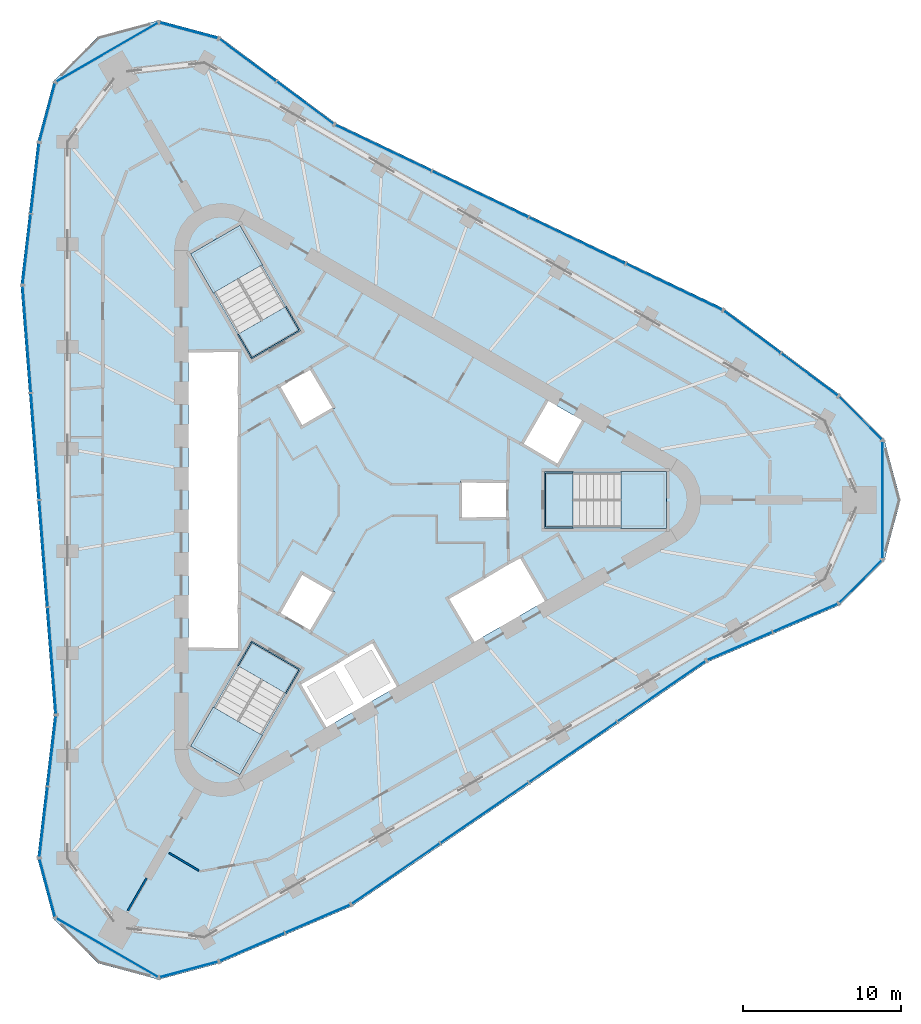
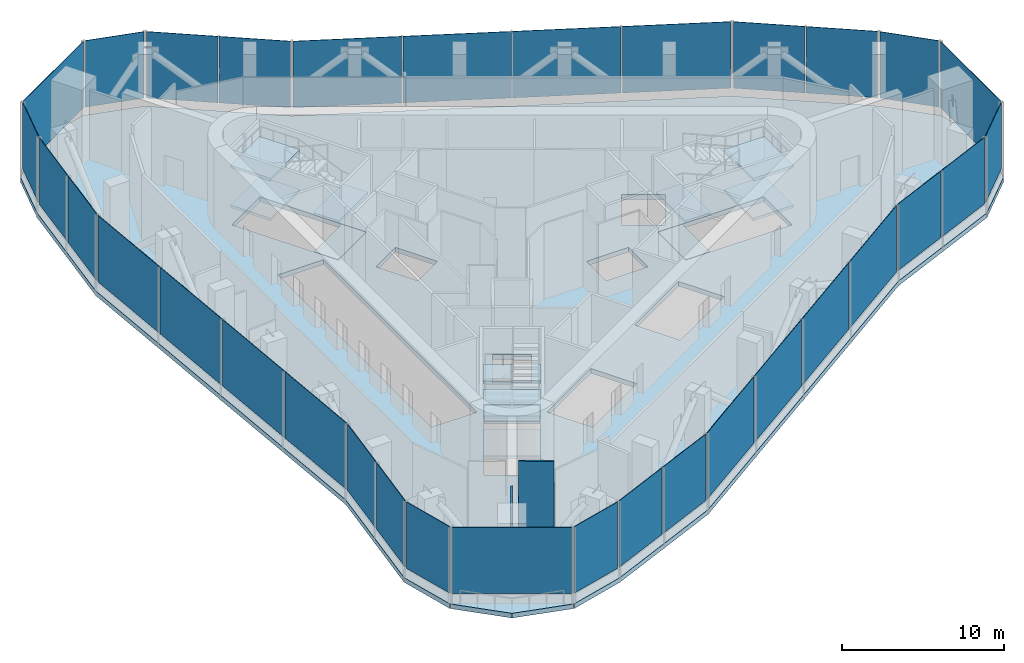
# One storey, part 6 of 15: 33 plates, 13 slabs, 2 walls, 21 elements without a shape of their own.
"""IFC4 building model written with IfcOpenShell, lengths in metres."""

from ifc_helpers import new_model, si_unit, direction, frame, frame_2d, origin, origin_2d, place, context, subcontext, project, spatial, polyline, rectangle, outline, extrude, material, layer, layer_set, type_object, element, aggregate, save


model = new_model("IFC4")

# Units and contexts
model_context = context("Model", 3, precision=1e-05, world=origin(), true_north=direction((0.0, 1.0)))
body_context = subcontext(model_context, "Body", "Model", "MODEL_VIEW")
ifc_project = project(units=[si_unit("LENGTHUNIT", "METRE"), si_unit("AREAUNIT", "SQUARE_METRE"), si_unit("VOLUMEUNIT", "CUBIC_METRE"), si_unit("PLANEANGLEUNIT", "RADIAN"), si_unit("MASSUNIT", "GRAM", prefix="KILO")], contexts=[model_context])

# Site, building, storey
site_placement = place(None, origin())
site = spatial("IfcSite", under=ifc_project, at=site_placement, CompositionType="ELEMENT")
building_placement = place(site_placement, origin())
building = spatial("IfcBuilding", under=site, at=building_placement, Name="Tanit Gate Tower", CompositionType="ELEMENT")
storey_placement = place(building_placement, frame((0.0, 0.0, 392.300048828125)))
storey = spatial("IfcBuildingStorey", under=building, at=storey_placement, Name="L90", CompositionType="ELEMENT", Elevation=392.300048828125)

# Curtain wall, plates
ifc_material_1 = material(Name="Aluminium bronze anodised and glass", Category="aluminium")
curtain_wall_type = type_object("IfcCurtainWallType", Name="Curtain wall sky lobby", PredefinedType="NOTDEFINED", material=ifc_material_1)
curtain_wall_1_placement = place(storey_placement, origin())
curtain_wall_1 = element("IfcCurtainWall", 1, at=curtain_wall_1_placement, inside=storey, type_object=curtain_wall_type, Name="Curtain wall L90 NE1", PredefinedType="NOTDEFINED")
ifc_material_2 = material(Name="Glass tinted laminated safety", Category="glass")
ifc_layer_1 = layer(ifc_material_2, 0.035888671875)
ifc_layer_set_1 = layer_set([ifc_layer_1], Name="Glass panel 36 sky lobby")
plate_type_1 = type_object("IfcPlateType", Name="Glass panel 36 sky lobby", PredefinedType="CURTAIN_PANEL", material=ifc_layer_set_1)
plate_1_placement = place(storey_placement, frame((28.042236328125, 7.9228515625, 0.699951171875), z_axis=(0.0, 0.0, 1.0), x_axis=(-0.801987717098, 0.59734052401, 0.0)))
plate_1 = element("IfcPlate", 2, at=plate_1_placement, type_object=plate_type_1, Name="Glass panel L90 NE1.1", PredefinedType="CURTAIN_PANEL", context=body_context, shape_type="SweptSolid", body=[
    extrude(rectangle(XDim=4.42529296875, YDim=0.035888671875, at=origin_2d()), origin(), (0.0, 0.0, 1.0), 5.0),
])
plate_2_placement = place(storey_placement, frame((24.428955078125, 10.614013671875, 0.699951171875), z_axis=(0.0, 0.0, 1.0), x_axis=(-0.801987717098, 0.59734052401, 0.0)))
plate_2 = element("IfcPlate", 3, at=plate_2_placement, type_object=plate_type_1, Name="Glass panel L90 NE1.2", PredefinedType="CURTAIN_PANEL", context=body_context, shape_type="SweptSolid", body=[
    extrude(rectangle(XDim=4.425537109375, YDim=0.035888671875, at=origin_2d()), origin(), (0.0, 0.0, 1.0), 5.0),
])
aggregate(curtain_wall_1, [plate_1, plate_2])

curtain_wall_2_placement = place(storey_placement, origin())
curtain_wall_2 = element("IfcCurtainWall", 4, at=curtain_wall_2_placement, inside=storey, type_object=curtain_wall_type, Name="Curtain wall L90 NE2", PredefinedType="NOTDEFINED")
plate_3_placement = place(storey_placement, frame((19.49169921875, 13.4638671875, 0.699951171875), z_axis=(0.0, 0.0, 1.0), x_axis=(-0.902317145415, 0.431072811819, 0.0)))
plate_3 = element("IfcPlate", 5, at=plate_3_placement, type_object=plate_type_1, Name="Glass panel L90 NE2.1", PredefinedType="CURTAIN_PANEL", context=body_context, shape_type="SweptSolid", body=[
    extrude(rectangle(XDim=6.707763671875, YDim=0.035888671875, at=origin_2d()), origin(), (0.0, 0.0, 1.0), 5.0),
])
plate_4_placement = place(storey_placement, frame((13.3671875, 16.389892578125, 0.699951171875), z_axis=(0.0, 0.0, 1.0), x_axis=(-0.902317145415, 0.431072811819, 0.0)))
plate_4 = element("IfcPlate", 6, at=plate_4_placement, type_object=plate_type_1, Name="Glass panel L90 NE2.2", PredefinedType="CURTAIN_PANEL", context=body_context, shape_type="SweptSolid", body=[
    extrude(rectangle(XDim=6.707763671875, YDim=0.035888671875, at=origin_2d()), origin(), (0.0, 0.0, 1.0), 5.0),
])

# Curtain wall, plate
curtain_wall_3_placement = place(storey_placement, origin())
curtain_wall_3 = element("IfcCurtainWall", 7, at=curtain_wall_3_placement, inside=storey, type_object=curtain_wall_type, Name="Curtain wall L90 NW.arc1", PredefinedType="NOTDEFINED")
plate_5_placement = place(storey_placement, frame((-11.17041015625, 29.664794921875, 0.699951171875), z_axis=(0.0, 0.0, 1.0), x_axis=(-0.965925826289, 0.258819045103, 0.0)))
plate_5 = element("IfcPlate", 8, at=plate_5_placement, type_object=plate_type_1, Name="Glass panel L90 NW.arc1.1", PredefinedType="CURTAIN_PANEL", context=body_context, shape_type="SweptSolid", body=[
    extrude(rectangle(XDim=3.75634765625, YDim=0.035888671875, at=origin_2d()), origin(), (0.0, 0.0, 1.0), 5.0),
])
aggregate(curtain_wall_3, [plate_5])

curtain_wall_4_placement = place(storey_placement, origin())
curtain_wall_4 = element("IfcCurtainWall", 9, at=curtain_wall_4_placement, inside=storey, type_object=curtain_wall_type, Name="Curtain wall L90 NW.arc2", PredefinedType="NOTDEFINED")
plate_6_placement = place(storey_placement, frame((-16.330078125, 28.28466796875, 0.699951171875), z_axis=(0.0, 0.0, 1.0), x_axis=(-0.866025403784, -0.5, 0.0)))
plate_6 = element("IfcPlate", 10, at=plate_6_placement, type_object=plate_type_1, Name="Glass panel L90 NW.arc2.1", PredefinedType="CURTAIN_PANEL", context=body_context, shape_type="SweptSolid", body=[
    extrude(rectangle(XDim=7.387939453125, YDim=0.035888671875, at=origin_2d()), origin(), (0.0, 0.0, 1.0), 5.0),
])
aggregate(curtain_wall_4, [plate_6])

curtain_wall_5_placement = place(storey_placement, origin())
curtain_wall_5 = element("IfcCurtainWall", 11, at=curtain_wall_5_placement, inside=storey, type_object=curtain_wall_type, Name="Curtain wall L90 NW.arc3", PredefinedType="NOTDEFINED")
plate_7_placement = place(storey_placement, frame((-20.107177734375, 24.499267578125, 0.699951171875), z_axis=(0.0, 0.0, 1.0), x_axis=(-0.258819045103, -0.965925826289, 0.0)))
plate_7 = element("IfcPlate", 12, at=plate_7_placement, type_object=plate_type_1, Name="Glass panel L90 NW.arc3.1", PredefinedType="CURTAIN_PANEL", context=body_context, shape_type="SweptSolid", body=[
    extrude(rectangle(XDim=3.7705078125, YDim=0.035888671875, at=origin_2d()), origin(), (0.0, 0.0, 1.0), 5.0),
])
aggregate(curtain_wall_5, [plate_7])

# Curtain wall, plates
curtain_wall_6_placement = place(storey_placement, origin())
curtain_wall_6 = element("IfcCurtainWall", 13, at=curtain_wall_6_placement, inside=storey, type_object=curtain_wall_type, Name="Curtain wall L90 W1", PredefinedType="NOTDEFINED")
plate_8_placement = place(storey_placement, frame((-20.882568359375, 20.323974609375, 0.699951171875), z_axis=(0.0, 0.0, 1.0), x_axis=(-0.116318209953, -0.993211998535, 0.0)))
plate_8 = element("IfcPlate", 14, at=plate_8_placement, type_object=plate_type_1, Name="Glass panel L90 W1.1", PredefinedType="CURTAIN_PANEL", context=body_context, shape_type="SweptSolid", body=[
    extrude(rectangle(XDim=4.42529296875, YDim=0.035888671875, at=origin_2d()), origin(), (0.0, 0.0, 1.0), 5.0),
])
plate_9_placement = place(storey_placement, frame((-21.406494140625, 15.84912109375, 0.699951171875), z_axis=(0.0, 0.0, 1.0), x_axis=(-0.116318209953, -0.993211998535, 0.0)))
plate_9 = element("IfcPlate", 15, at=plate_9_placement, type_object=plate_type_1, Name="Glass panel L90 W1.2", PredefinedType="CURTAIN_PANEL", context=body_context, shape_type="SweptSolid", body=[
    extrude(rectangle(XDim=4.425537109375, YDim=0.035888671875, at=origin_2d()), origin(), (0.0, 0.0, 1.0), 5.0),
])
aggregate(curtain_wall_6, [plate_8, plate_9])

curtain_wall_7_placement = place(storey_placement, origin())
curtain_wall_7 = element("IfcCurtainWall", 16, at=curtain_wall_7_placement, inside=storey, type_object=curtain_wall_type, Name="Curtain wall L90 W2", PredefinedType="NOTDEFINED")
plate_10_placement = place(storey_placement, frame((-21.406005859375, 10.1484375, 0.699951171875), z_axis=(0.0, 0.0, 1.0), x_axis=(0.077838566791, -0.996965976109, 0.0)))
plate_10 = element("IfcPlate", 17, at=plate_10_placement, type_object=plate_type_1, Name="Glass panel L90 W2.1", PredefinedType="CURTAIN_PANEL", context=body_context, shape_type="SweptSolid", body=[
    extrude(rectangle(XDim=6.707763671875, YDim=0.035888671875, at=origin_2d()), origin(), (0.0, 0.0, 1.0), 5.0),
])
plate_11_placement = place(storey_placement, frame((-20.877685546875, 3.38134765625, 0.699951171875), z_axis=(0.0, 0.0, 1.0), x_axis=(0.077838566791, -0.996965976109, 0.0)))
plate_11 = element("IfcPlate", 18, at=plate_11_placement, type_object=plate_type_1, Name="Glass panel L90 W2.2", PredefinedType="CURTAIN_PANEL", context=body_context, shape_type="SweptSolid", body=[
    extrude(rectangle(XDim=6.707763671875, YDim=0.035888671875, at=origin_2d()), origin(), (0.0, 0.0, 1.0), 5.0),
])

# Curtain wall, plate
curtain_wall_8_placement = place(storey_placement, origin())
curtain_wall_8 = element("IfcCurtainWall", 19, at=curtain_wall_8_placement, inside=storey, type_object=curtain_wall_type, Name="Curtain wall L90 SW.arc1", PredefinedType="NOTDEFINED")
plate_12_placement = place(storey_placement, frame((-20.105224609375, -24.506103515625, 0.699951171875), z_axis=(0.0, 0.0, 1.0), x_axis=(0.258819045103, -0.965925826289, 0.0)))
plate_12 = element("IfcPlate", 20, at=plate_12_placement, type_object=plate_type_1, Name="Glass panel L90 SW.arc1.1", PredefinedType="CURTAIN_PANEL", context=body_context, shape_type="SweptSolid", body=[
    extrude(rectangle(XDim=3.75634765625, YDim=0.035888671875, at=origin_2d()), origin(), (0.0, 0.0, 1.0), 5.0),
])
aggregate(curtain_wall_8, [plate_12])

curtain_wall_9_placement = place(storey_placement, origin())
curtain_wall_9 = element("IfcCurtainWall", 21, at=curtain_wall_9_placement, inside=storey, type_object=curtain_wall_type, Name="Curtain wall L90 SW.arc2", PredefinedType="NOTDEFINED")
plate_13_placement = place(storey_placement, frame((-16.330078125, -28.28466796875, 0.699951171875), z_axis=(0.0, 0.0, 1.0), x_axis=(0.866025403784, -0.5, 0.0)))
plate_13 = element("IfcPlate", 22, at=plate_13_placement, type_object=plate_type_1, Name="Glass panel L90 SW.arc2.1", PredefinedType="CURTAIN_PANEL", context=body_context, shape_type="SweptSolid", body=[
    extrude(rectangle(XDim=7.387939453125, YDim=0.035888671875, at=origin_2d()), origin(), (0.0, 0.0, 1.0), 5.0),
])
aggregate(curtain_wall_9, [plate_13])

curtain_wall_10_placement = place(storey_placement, origin())
curtain_wall_10 = element("IfcCurtainWall", 23, at=curtain_wall_10_placement, inside=storey, type_object=curtain_wall_type, Name="Curtain wall L90 SW.arc3", PredefinedType="NOTDEFINED")
plate_14_placement = place(storey_placement, frame((-11.16357421875, -29.6630859375, 0.699951171875), z_axis=(0.0, 0.0, 1.0), x_axis=(0.965925826289, 0.258819045103, 0.0)))
plate_14 = element("IfcPlate", 24, at=plate_14_placement, type_object=plate_type_1, Name="Glass panel L90 SW.arc3.1", PredefinedType="CURTAIN_PANEL", context=body_context, shape_type="SweptSolid", body=[
    extrude(rectangle(XDim=3.7705078125, YDim=0.035888671875, at=origin_2d()), origin(), (0.0, 0.0, 1.0), 5.0),
])
aggregate(curtain_wall_10, [plate_14])

# Curtain wall, plates
curtain_wall_11_placement = place(storey_placement, origin())
curtain_wall_11 = element("IfcCurtainWall", 25, at=curtain_wall_11_placement, inside=storey, type_object=curtain_wall_type, Name="Curtain wall L90 SE1", PredefinedType="NOTDEFINED")
plate_15_placement = place(storey_placement, frame((-7.15966796875, -28.246826171875, 0.699951171875), z_axis=(0.0, 0.0, 1.0), x_axis=(0.918305927051, 0.395871474525, 0.0)))
plate_15 = element("IfcPlate", 26, at=plate_15_placement, type_object=plate_type_1, Name="Glass panel L90 SE1.1", PredefinedType="CURTAIN_PANEL", context=body_context, shape_type="SweptSolid", body=[
    extrude(rectangle(XDim=4.42529296875, YDim=0.035888671875, at=origin_2d()), origin(), (0.0, 0.0, 1.0), 5.0),
])
plate_16_placement = place(storey_placement, frame((-3.0224609375, -26.463134765625, 0.699951171875), z_axis=(0.0, 0.0, 1.0), x_axis=(0.918305927051, 0.395871474525, 0.0)))
plate_16 = element("IfcPlate", 27, at=plate_16_placement, type_object=plate_type_1, Name="Glass panel L90 SE1.2", PredefinedType="CURTAIN_PANEL", context=body_context, shape_type="SweptSolid", body=[
    extrude(rectangle(XDim=4.425537109375, YDim=0.035888671875, at=origin_2d()), origin(), (0.0, 0.0, 1.0), 5.0),
])
aggregate(curtain_wall_11, [plate_15, plate_16])

curtain_wall_12_placement = place(storey_placement, origin())
curtain_wall_12 = element("IfcCurtainWall", 28, at=curtain_wall_12_placement, inside=storey, type_object=curtain_wall_type, Name="Curtain wall L90 SE2", PredefinedType="NOTDEFINED")
plate_17_placement = place(storey_placement, frame((1.914306640625, -23.6123046875, 0.699951171875), z_axis=(0.0, 0.0, 1.0), x_axis=(0.824478578624, 0.56589316429, 0.0)))
plate_17 = element("IfcPlate", 29, at=plate_17_placement, type_object=plate_type_1, Name="Glass panel L90 SE2.1", PredefinedType="CURTAIN_PANEL", context=body_context, shape_type="SweptSolid", body=[
    extrude(rectangle(XDim=6.707763671875, YDim=0.035888671875, at=origin_2d()), origin(), (0.0, 0.0, 1.0), 5.0),
])
plate_18_placement = place(storey_placement, frame((7.510498046875, -19.771240234375, 0.699951171875), z_axis=(0.0, 0.0, 1.0), x_axis=(0.824478578624, 0.56589316429, 0.0)))
plate_18 = element("IfcPlate", 30, at=plate_18_placement, type_object=plate_type_1, Name="Glass panel L90 SE2.2", PredefinedType="CURTAIN_PANEL", context=body_context, shape_type="SweptSolid", body=[
    extrude(rectangle(XDim=6.707763671875, YDim=0.035888671875, at=origin_2d()), origin(), (0.0, 0.0, 1.0), 5.0),
])

# Curtain wall, plate
curtain_wall_13_placement = place(storey_placement, origin())
curtain_wall_13 = element("IfcCurtainWall", 31, at=curtain_wall_13_placement, inside=storey, type_object=curtain_wall_type, Name="Curtain wall L90 E.arc1", PredefinedType="NOTDEFINED")
plate_19_placement = place(storey_placement, frame((31.275634765625, -5.15869140625, 0.699951171875), z_axis=(0.0, 0.0, 1.0), x_axis=(0.707106781187, 0.707106781187, 0.0)))
plate_19 = element("IfcPlate", 32, at=plate_19_placement, type_object=plate_type_1, Name="Glass panel L90 E.arc1.1", PredefinedType="CURTAIN_PANEL", context=body_context, shape_type="SweptSolid", body=[
    extrude(rectangle(XDim=3.75634765625, YDim=0.035888671875, at=origin_2d()), origin(), (0.0, 0.0, 1.0), 5.0),
])
aggregate(curtain_wall_13, [plate_19])

curtain_wall_14_placement = place(storey_placement, origin())
curtain_wall_14 = element("IfcCurtainWall", 33, at=curtain_wall_14_placement, inside=storey, type_object=curtain_wall_type, Name="Curtain wall L90 E.arc2", PredefinedType="NOTDEFINED")
plate_20_placement = place(storey_placement, frame((32.66015625, 0.0, 0.699951171875), z_axis=(0.0, 0.0, 1.0), x_axis=(0.0, 1.0, 0.0)))
plate_20 = element("IfcPlate", 34, at=plate_20_placement, type_object=plate_type_1, Name="Glass panel L90 E.arc2.1", PredefinedType="CURTAIN_PANEL", context=body_context, shape_type="SweptSolid", body=[
    extrude(rectangle(XDim=7.387939453125, YDim=0.035888671875, at=origin_2d()), origin(), (0.0, 0.0, 1.0), 5.0),
])
aggregate(curtain_wall_14, [plate_20])

curtain_wall_15_placement = place(storey_placement, origin())
curtain_wall_15 = element("IfcCurtainWall", 35, at=curtain_wall_15_placement, inside=storey, type_object=curtain_wall_type, Name="Curtain wall L90 E.arc3", PredefinedType="NOTDEFINED")
plate_21_placement = place(storey_placement, frame((31.270751953125, 5.16357421875, 0.699951171875), z_axis=(0.0, 0.0, 1.0), x_axis=(-0.707106781187, 0.707106781187, 0.0)))
plate_21 = element("IfcPlate", 36, at=plate_21_placement, type_object=plate_type_1, Name="Glass panel L90 E.arc3.1", PredefinedType="CURTAIN_PANEL", context=body_context, shape_type="SweptSolid", body=[
    extrude(rectangle(XDim=3.7705078125, YDim=0.035888671875, at=origin_2d()), origin(), (0.0, 0.0, 1.0), 5.0),
])
aggregate(curtain_wall_15, [plate_21])

# Stair, slabs
ifc_material_3 = material(Name="Concrete C40/50", Category="concrete")
stair_type = type_object("IfcStairType", Name="INT-STAIR-EXIT", PredefinedType="HALF_TURN_STAIR", material=ifc_material_3)
stair_1_placement = place(storey_placement, origin())
stair_1 = element("IfcStair", 37, at=stair_1_placement, inside=storey, type_object=stair_type, Name="L90 STAIR S1", PredefinedType="HALF_TURN_STAIR")
ifc_material_4 = material(Name="Concrete C40/50", Category="concrete")
ifc_layer_2 = layer(ifc_material_4, 0.199951171875)
ifc_layer_set_2 = layer_set([ifc_layer_2], Name="INT-STAIR-LANDING")
slab_type_1 = type_object("IfcSlabType", Name="INT-STAIR-LANDING", PredefinedType="LANDING", material=ifc_layer_set_2)
slab_1_placement = place(storey_placement, frame((0.0, 0.0, 1.300048828125)))
slab_1 = element("IfcSlab", 38, at=slab_1_placement, type_object=slab_type_1, Name="S1 landing 1", PredefinedType="LANDING", context=body_context, shape_type="SweptSolid", body=[
    extrude(outline(polyline([(16.135986328125, -1.800048828125), (19.0, -1.800048828125), (19.0, 1.800048828125), (16.135986328125, 1.800048828125), (16.135986328125, -1.800048828125)])), origin(), (0.0, 0.0, 1.0), 0.199951171875),
])
slab_2_placement = place(storey_placement, frame((0.0, 0.0, 2.800048828125)))
slab_2 = element("IfcSlab", 39, at=slab_2_placement, type_object=slab_type_1, Name="S1 landing 2", PredefinedType="LANDING", context=body_context, shape_type="SweptSolid", body=[
    extrude(outline(polyline([(11.300048828125, -1.800048828125), (13.10498046875, -1.800048828125), (13.10498046875, 1.800048828125), (11.300048828125, 1.800048828125), (11.300048828125, -1.800048828125)])), origin(), (0.0, 0.0, 1.0), 0.199951171875),
])
slab_3_placement = place(storey_placement, frame((0.0, 0.0, 4.300048828125)))
slab_3 = element("IfcSlab", 40, at=slab_3_placement, type_object=slab_type_1, Name="S1 landing 3", PredefinedType="LANDING", context=body_context, shape_type="SweptSolid", body=[
    extrude(outline(polyline([(16.135986328125, -1.800048828125), (19.0, -1.800048828125), (19.0, 1.800048828125), (16.135986328125, 1.800048828125), (16.135986328125, -1.800048828125)])), origin(), (0.0, 0.0, 1.0), 0.199951171875),
])
aggregate(stair_1, [slab_1, slab_2, slab_3])

# Slab
slab_4_placement = place(storey_placement, frame((0.0, 0.0, -0.199951171875)))
element("IfcSlab", 41, at=slab_4_placement, inside=storey, type_object=slab_type_1, Name="S1 floor landing", PredefinedType="LANDING", context=body_context, shape_type="SweptSolid", body=[
    extrude(outline(polyline([(11.3798828125, -1.719970703125), (13.10498046875, -1.719970703125), (13.10498046875, 1.719970703125), (11.3798828125, 1.719970703125), (11.3798828125, -1.719970703125)])), origin(), (0.0, 0.0, 1.0), 0.199951171875),
])

# Stair, slabs
stair_2_placement = place(storey_placement, origin())
stair_2 = element("IfcStair", 42, at=stair_2_placement, inside=storey, type_object=stair_type, Name="L90 STAIR S2", PredefinedType="HALF_TURN_STAIR")
slab_5_placement = place(storey_placement, frame((0.0, 0.0, 1.300048828125)))
slab_5 = element("IfcSlab", 43, at=slab_5_placement, type_object=slab_type_1, Name="S2 landing 1", PredefinedType="LANDING", context=body_context, shape_type="SweptSolid", body=[
    extrude(outline(polyline([(-6.5078125, 14.871826171875), (-7.941162109375, 17.3544921875), (-11.058837890625, 15.554443359375), (-9.62548828125, 13.07177734375), (-6.5078125, 14.871826171875)])), origin(), (0.0, 0.0, 1.0), 0.199951171875),
])
slab_6_placement = place(storey_placement, frame((0.0, 0.0, 2.800048828125)))
slab_6 = element("IfcSlab", 44, at=slab_6_placement, type_object=slab_type_1, Name="S2 landing 2", PredefinedType="LANDING", context=body_context, shape_type="SweptSolid", body=[
    extrude(outline(polyline([(-4.091064453125, 10.68603515625), (-4.9931640625, 12.248291015625), (-8.11083984375, 10.448486328125), (-7.208740234375, 8.885986328125), (-4.091064453125, 10.68603515625)])), origin(), (0.0, 0.0, 1.0), 0.199951171875),
])
slab_7_placement = place(storey_placement, frame((0.0, 0.0, 4.300048828125)))
slab_7 = element("IfcSlab", 45, at=slab_7_placement, type_object=slab_type_1, Name="S2 landing 3", PredefinedType="LANDING", context=body_context, shape_type="SweptSolid", body=[
    extrude(outline(polyline([(-6.5078125, 14.871826171875), (-7.941162109375, 17.3544921875), (-11.058837890625, 15.554443359375), (-9.62548828125, 13.07177734375), (-6.5078125, 14.871826171875)])), origin(), (0.0, 0.0, 1.0), 0.199951171875),
])
aggregate(stair_2, [slab_5, slab_6, slab_7])

# Slab
slab_8_placement = place(storey_placement, frame((0.0, 0.0, -0.199951171875)))
element("IfcSlab", 46, at=slab_8_placement, inside=storey, type_object=slab_type_1, Name="S2 floor landing", PredefinedType="LANDING", context=body_context, shape_type="SweptSolid", body=[
    extrude(outline(polyline([(-4.200439453125, 10.71533203125), (-5.0625, 12.20849609375), (-8.04150390625, 10.48828125), (-7.179443359375, 8.995361328125), (-4.200439453125, 10.71533203125)])), origin(), (0.0, 0.0, 1.0), 0.199951171875),
])

# Stair, slabs
stair_3_placement = place(storey_placement, origin())
stair_3 = element("IfcStair", 47, at=stair_3_placement, inside=storey, type_object=stair_type, Name="L90 STAIR S3", PredefinedType="HALF_TURN_STAIR")
slab_9_placement = place(storey_placement, frame((0.0, 0.0, 1.300048828125)))
slab_9 = element("IfcSlab", 48, at=slab_9_placement, type_object=slab_type_1, Name="S3 landing 1", PredefinedType="LANDING", context=body_context, shape_type="SweptSolid", body=[
    extrude(outline(polyline([(-9.626953125, -13.07421875), (-11.058837890625, -15.554443359375), (-7.941162109375, -17.3544921875), (-6.509033203125, -14.874267578125), (-9.626953125, -13.07421875)])), origin(), (0.0, 0.0, 1.0), 0.199951171875),
])
slab_10_placement = place(storey_placement, frame((0.0, 0.0, 2.800048828125)))
slab_10 = element("IfcSlab", 49, at=slab_10_placement, type_object=slab_type_1, Name="S3 landing 2", PredefinedType="LANDING", context=body_context, shape_type="SweptSolid", body=[
    extrude(outline(polyline([(-7.208740234375, -8.885986328125), (-8.111328125, -10.44921875), (-4.99365234375, -12.249267578125), (-4.091064453125, -10.68603515625), (-7.208740234375, -8.885986328125)])), origin(), (0.0, 0.0, 1.0), 0.199951171875),
])
slab_11_placement = place(storey_placement, frame((0.0, 0.0, 4.300048828125)))
slab_11 = element("IfcSlab", 50, at=slab_11_placement, type_object=slab_type_1, Name="S3 landing 3", PredefinedType="LANDING", context=body_context, shape_type="SweptSolid", body=[
    extrude(outline(polyline([(-9.626953125, -13.07421875), (-11.058837890625, -15.554443359375), (-7.941162109375, -17.3544921875), (-6.509033203125, -14.874267578125), (-9.626953125, -13.07421875)])), origin(), (0.0, 0.0, 1.0), 0.199951171875),
])
aggregate(stair_3, [slab_9, slab_10, slab_11])

# Slab
slab_12_placement = place(storey_placement, frame((0.0, 0.0, -0.199951171875)))
element("IfcSlab", 51, at=slab_12_placement, inside=storey, type_object=slab_type_1, Name="S3 floor landing", PredefinedType="LANDING", context=body_context, shape_type="SweptSolid", body=[
    extrude(outline(polyline([(-7.179443359375, -8.995361328125), (-8.0419921875, -10.4892578125), (-5.06298828125, -12.209228515625), (-4.200439453125, -10.71533203125), (-7.179443359375, -8.995361328125)])), origin(), (0.0, 0.0, 1.0), 0.199951171875),
])

# Plate
ifc_material_5 = material(Name="Bronze anodised aluminium insulated panel", Category="aluminium")
ifc_layer_3 = layer(ifc_material_5, 0.035888671875)
ifc_layer_set_3 = layer_set([ifc_layer_3], Name="Insulated panel 36 sky lobby")
plate_type_2 = type_object("IfcPlateType", Name="Insulated panel 36 sky lobby", PredefinedType="CURTAIN_PANEL", material=ifc_layer_set_3)
plate_22_placement = place(storey_placement, frame((7.242431640625, 19.31591796875, 0.699951171875), z_axis=(0.0, 0.0, 1.0), x_axis=(-0.902317145415, 0.431072811819, 0.0)))
plate_22 = element("IfcPlate", 52, at=plate_22_placement, type_object=plate_type_2, Name="Insulated panel L90 NE2.3", PredefinedType="CURTAIN_PANEL", context=body_context, shape_type="SweptSolid", body=[
    extrude(rectangle(XDim=6.707763671875, YDim=0.035888671875, at=origin_2d()), origin(), (0.0, 0.0, 1.0), 5.0),
])

plate_23_placement = place(storey_placement, frame((1.11767578125, 22.241943359375, 0.699951171875), z_axis=(0.0, 0.0, 1.0), x_axis=(-0.902317145415, 0.431072811819, 0.0)))
plate_23 = element("IfcPlate", 53, at=plate_23_placement, type_object=plate_type_2, Name="Insulated panel L90 NE2.4", PredefinedType="CURTAIN_PANEL", context=body_context, shape_type="SweptSolid", body=[
    extrude(rectangle(XDim=6.707763671875, YDim=0.035888671875, at=origin_2d()), origin(), (0.0, 0.0, 1.0), 5.0),
])

aggregate(curtain_wall_2, [plate_3, plate_4, plate_22, plate_23])

# Curtain wall, plates
curtain_wall_16_placement = place(storey_placement, origin())
curtain_wall_16 = element("IfcCurtainWall", 54, at=curtain_wall_16_placement, inside=storey, type_object=curtain_wall_type, Name="Curtain wall L90 NE3", PredefinedType="NOTDEFINED")
plate_24_placement = place(storey_placement, frame((-3.8212890625, 25.093017578125, 0.699951171875), z_axis=(0.0, 0.0, 1.0), x_axis=(-0.801987717098, 0.59734052401, 0.0)))
plate_24 = element("IfcPlate", 55, at=plate_24_placement, type_object=plate_type_2, Name="Insulated panel L90 NE3.1", PredefinedType="CURTAIN_PANEL", context=body_context, shape_type="SweptSolid", body=[
    extrude(rectangle(XDim=4.429931640625, YDim=0.035888671875, at=origin_2d()), origin(), (0.0, 0.0, 1.0), 5.0),
])
plate_25_placement = place(storey_placement, frame((-7.438232421875, 27.787109375, 0.699951171875), z_axis=(0.0, 0.0, 1.0), x_axis=(-0.801987717098, 0.59734052401, 0.0)))
plate_25 = element("IfcPlate", 56, at=plate_25_placement, type_object=plate_type_2, Name="Insulated panel L90 NE3.2", PredefinedType="CURTAIN_PANEL", context=body_context, shape_type="SweptSolid", body=[
    extrude(rectangle(XDim=4.429931640625, YDim=0.035888671875, at=origin_2d()), origin(), (0.0, 0.0, 1.0), 5.0),
])
aggregate(curtain_wall_16, [plate_24, plate_25])

# Plate
plate_26_placement = place(storey_placement, frame((-20.349365234375, -3.385986328125, 0.699951171875), z_axis=(0.0, 0.0, 1.0), x_axis=(0.077838566791, -0.996965976109, 0.0)))
plate_26 = element("IfcPlate", 57, at=plate_26_placement, type_object=plate_type_2, Name="Insulated panel L90 W2.3", PredefinedType="CURTAIN_PANEL", context=body_context, shape_type="SweptSolid", body=[
    extrude(rectangle(XDim=6.707763671875, YDim=0.035888671875, at=origin_2d()), origin(), (0.0, 0.0, 1.0), 5.0),
])

plate_27_placement = place(storey_placement, frame((-19.82080078125, -10.153076171875, 0.699951171875), z_axis=(0.0, 0.0, 1.0), x_axis=(0.077838566791, -0.996965976109, 0.0)))
plate_27 = element("IfcPlate", 58, at=plate_27_placement, type_object=plate_type_2, Name="Insulated panel L90 W2.4", PredefinedType="CURTAIN_PANEL", context=body_context, shape_type="SweptSolid", body=[
    extrude(rectangle(XDim=6.707763671875, YDim=0.035888671875, at=origin_2d()), origin(), (0.0, 0.0, 1.0), 5.0),
])

aggregate(curtain_wall_7, [plate_10, plate_11, plate_26, plate_27])

# Curtain wall, plates
curtain_wall_17_placement = place(storey_placement, origin())
curtain_wall_17 = element("IfcCurtainWall", 59, at=curtain_wall_17_placement, inside=storey, type_object=curtain_wall_type, Name="Curtain wall L90 W3", PredefinedType="NOTDEFINED")
plate_28_placement = place(storey_placement, frame((-19.820556640625, -15.85595703125, 0.699951171875), z_axis=(0.0, 0.0, 1.0), x_axis=(-0.116318209953, -0.993211998535, 0.0)))
plate_28 = element("IfcPlate", 60, at=plate_28_placement, type_object=plate_type_2, Name="Insulated panel L90 W3.1", PredefinedType="CURTAIN_PANEL", context=body_context, shape_type="SweptSolid", body=[
    extrude(rectangle(XDim=4.429931640625, YDim=0.035888671875, at=origin_2d()), origin(), (0.0, 0.0, 1.0), 5.0),
])
plate_29_placement = place(storey_placement, frame((-20.34521484375, -20.335205078125, 0.699951171875), z_axis=(0.0, 0.0, 1.0), x_axis=(-0.116318209953, -0.993211998535, 0.0)))
plate_29 = element("IfcPlate", 61, at=plate_29_placement, type_object=plate_type_2, Name="Insulated panel L90 W3.2", PredefinedType="CURTAIN_PANEL", context=body_context, shape_type="SweptSolid", body=[
    extrude(rectangle(XDim=4.429931640625, YDim=0.035888671875, at=origin_2d()), origin(), (0.0, 0.0, 1.0), 5.0),
])
aggregate(curtain_wall_17, [plate_28, plate_29])

# Plate
plate_30_placement = place(storey_placement, frame((13.10693359375, -15.929931640625, 0.699951171875), z_axis=(0.0, 0.0, 1.0), x_axis=(0.824478578624, 0.56589316429, 0.0)))
plate_30 = element("IfcPlate", 62, at=plate_30_placement, type_object=plate_type_2, Name="Insulated panel L90 SE2.3", PredefinedType="CURTAIN_PANEL", context=body_context, shape_type="SweptSolid", body=[
    extrude(rectangle(XDim=6.707763671875, YDim=0.035888671875, at=origin_2d()), origin(), (0.0, 0.0, 1.0), 5.0),
])

plate_31_placement = place(storey_placement, frame((18.703369140625, -12.0888671875, 0.699951171875), z_axis=(0.0, 0.0, 1.0), x_axis=(0.824478578624, 0.56589316429, 0.0)))
plate_31 = element("IfcPlate", 63, at=plate_31_placement, type_object=plate_type_2, Name="Insulated panel L90 SE2.4", PredefinedType="CURTAIN_PANEL", context=body_context, shape_type="SweptSolid", body=[
    extrude(rectangle(XDim=6.707763671875, YDim=0.035888671875, at=origin_2d()), origin(), (0.0, 0.0, 1.0), 5.0),
])

aggregate(curtain_wall_12, [plate_17, plate_18, plate_30, plate_31])

# Curtain wall, plates
curtain_wall_18_placement = place(storey_placement, origin())
curtain_wall_18 = element("IfcCurtainWall", 64, at=curtain_wall_18_placement, inside=storey, type_object=curtain_wall_type, Name="Curtain wall L90 SE3", PredefinedType="NOTDEFINED")
plate_32_placement = place(storey_placement, frame((23.641845703125, -9.237060546875, 0.699951171875), z_axis=(0.0, 0.0, 1.0), x_axis=(0.918305927051, 0.395871474525, 0.0)))
plate_32 = element("IfcPlate", 65, at=plate_32_placement, type_object=plate_type_2, Name="Insulated panel L90 SE3.1", PredefinedType="CURTAIN_PANEL", context=body_context, shape_type="SweptSolid", body=[
    extrude(rectangle(XDim=4.429931640625, YDim=0.035888671875, at=origin_2d()), origin(), (0.0, 0.0, 1.0), 5.0),
])
plate_33_placement = place(storey_placement, frame((27.783447265625, -7.45166015625, 0.699951171875), z_axis=(0.0, 0.0, 1.0), x_axis=(0.918305927051, 0.395871474525, 0.0)))
plate_33 = element("IfcPlate", 66, at=plate_33_placement, type_object=plate_type_2, Name="Insulated panel L90 SE3.2", PredefinedType="CURTAIN_PANEL", context=body_context, shape_type="SweptSolid", body=[
    extrude(rectangle(XDim=4.429931640625, YDim=0.035888671875, at=origin_2d()), origin(), (0.0, 0.0, 1.0), 5.0),
])
aggregate(curtain_wall_18, [plate_32, plate_33])

# Slab
ifc_material_6 = material(Name="Concrete C35/45", Category="concrete")
ifc_layer_4 = layer(ifc_material_6, 0.35009765625)
ifc_layer_set_4 = layer_set([ifc_layer_4], Name="SKY LOBBY FLOOR SLAB 350 C35/45")
slab_type_2 = type_object("IfcSlabType", Name="SKY LOBBY FLOOR SLAB 350 C35/45", PredefinedType="FLOOR", material=ifc_layer_set_4)
slab_13_placement = place(storey_placement, frame((0.0, 0.0, -0.35009765625)))
element("IfcSlab", 67, at=slab_13_placement, inside=storey, type_object=slab_type_2, Name="FLOOR SLAB L90", PredefinedType="FLOOR", context=body_context, shape_type="SweptSolid", body=[
    extrude(outline(polyline([(29.959716796875, 6.644287109375), (32.767822265625, 3.836181640625), (33.795654296875, 0.0), (32.767822265625, -3.836181640625), (29.959716796875, -6.644287109375), (21.5927734375, -10.251220703125), (-0.858642578125, -25.6611328125), (-9.2255859375, -29.26806640625), (-13.061767578125, -30.2958984375), (-16.89794921875, -29.26806640625), (-19.7060546875, -26.459716796875), (-20.73388671875, -22.62353515625), (-19.67431640625, -13.57421875), (-21.793701171875, 13.57421875), (-20.73388671875, 22.62353515625), (-19.7060546875, 26.459716796875), (-16.89794921875, 29.26806640625), (-13.061767578125, 30.2958984375), (-9.2255859375, 29.26806640625), (-1.91845703125, 23.825439453125), (22.652587890625, 12.0869140625), (29.959716796875, 6.644287109375)]), holes=[polyline([(11.3701171875, 1.72998046875), (18.929931640625, 1.72998046875), (18.929931640625, -1.72998046875), (11.3701171875, -1.72998046875), (11.3701171875, 1.72998046875)]), polyline([(9.82080078125, 3.510009765625), (11.44580078125, 6.324462890625), (13.783935546875, 4.974609375), (12.158935546875, 2.159912109375), (9.82080078125, 3.510009765625)]), polyline([(5.14404296875, -6.2099609375), (9.82080078125, -3.510009765625), (11.44580078125, -6.324462890625), (6.76904296875, -9.0244140625), (5.14404296875, -6.2099609375)]), polyline([(6.0, 1.199951171875), (9.0, 1.199951171875), (9.0, -1.199951171875), (6.0, -1.199951171875), (6.0, 1.199951171875)]), polyline([(-4.208984375, -11.60986328125), (0.467529296875, -8.909912109375), (2.092529296875, -11.724609375), (-2.583984375, -14.424560546875), (-4.208984375, -11.60986328125)]), polyline([(-5.539306640625, 7.194091796875), (-3.460693359375, 8.394287109375), (-1.960693359375, 5.796142578125), (-4.039306640625, 4.59619140625), (-5.539306640625, 7.194091796875)]), polyline([(-1.960693359375, -5.796142578125), (-3.460693359375, -8.394287109375), (-5.539306640625, -7.194091796875), (-4.039306640625, -4.59619140625), (-1.960693359375, -5.796142578125)]), polyline([(-10.963134765625, 15.52880859375), (-7.966796875, 17.2587890625), (-4.186767578125, 10.711669921875), (-7.18310546875, 8.981689453125), (-10.963134765625, 15.52880859375)]), polyline([(-4.186767578125, -10.711669921875), (-7.966796875, -17.2587890625), (-10.963134765625, -15.52880859375), (-7.18310546875, -8.981689453125), (-4.186767578125, -10.711669921875)]), polyline([(-11.199951171875, -9.449951171875), (-11.199951171875, 9.449951171875), (-7.949951171875, 9.449951171875), (-7.949951171875, -9.449951171875), (-11.199951171875, -9.449951171875)])]), origin(), (0.0, 0.0, 1.0), 0.35009765625),
])

# Walls
ifc_material_7 = material(Name="Gypsum board partition")
ifc_layer_5 = layer(ifc_material_7, 0.1201171875)
ifc_layer_set_5 = layer_set([ifc_layer_5], Name="INT-WALL-PARTITION")
wall_type = type_object("IfcWallType", Name="INT-WALL-PARTITION", PredefinedType="PARTITIONING", material=ifc_layer_set_5)
wall_1_placement = place(storey_placement, frame((-15.02392578125, -25.962158203125, 0.0), z_axis=(0.0, 0.0, 1.0), x_axis=(0.500037706602, 0.866003632773, 0.0)))
element("IfcWall", 68, at=wall_1_placement, inside=storey, type_object=wall_type, Name="Wall Partition W103", PredefinedType="PARTITIONING", context=body_context, shape_type="SweptSolid", body=[
    extrude(rectangle(XDim=2.390869140625, YDim=0.1201171875, at=frame_2d((1.1953125, 0.0))), origin(), (0.0, 0.0, 1.0), 5.27001953125),
])
wall_2_placement = place(storey_placement, frame((-12.4140625, -22.301513671875, 0.0), z_axis=(0.0, 0.0, 1.0), x_axis=(0.860362411229, -0.509682765398, 0.0)))
element("IfcWall", 69, at=wall_2_placement, inside=storey, type_object=wall_type, Name="Wall Partition W113", PredefinedType="PARTITIONING", context=body_context, shape_type="SweptSolid", body=[
    extrude(rectangle(XDim=2.181884765625, YDim=0.1201171875, at=frame_2d((1.0908203125, 0.0))), origin(), (0.0, 0.0, 1.0), 5.699951171875),
])

save(model, "model.ifc")
